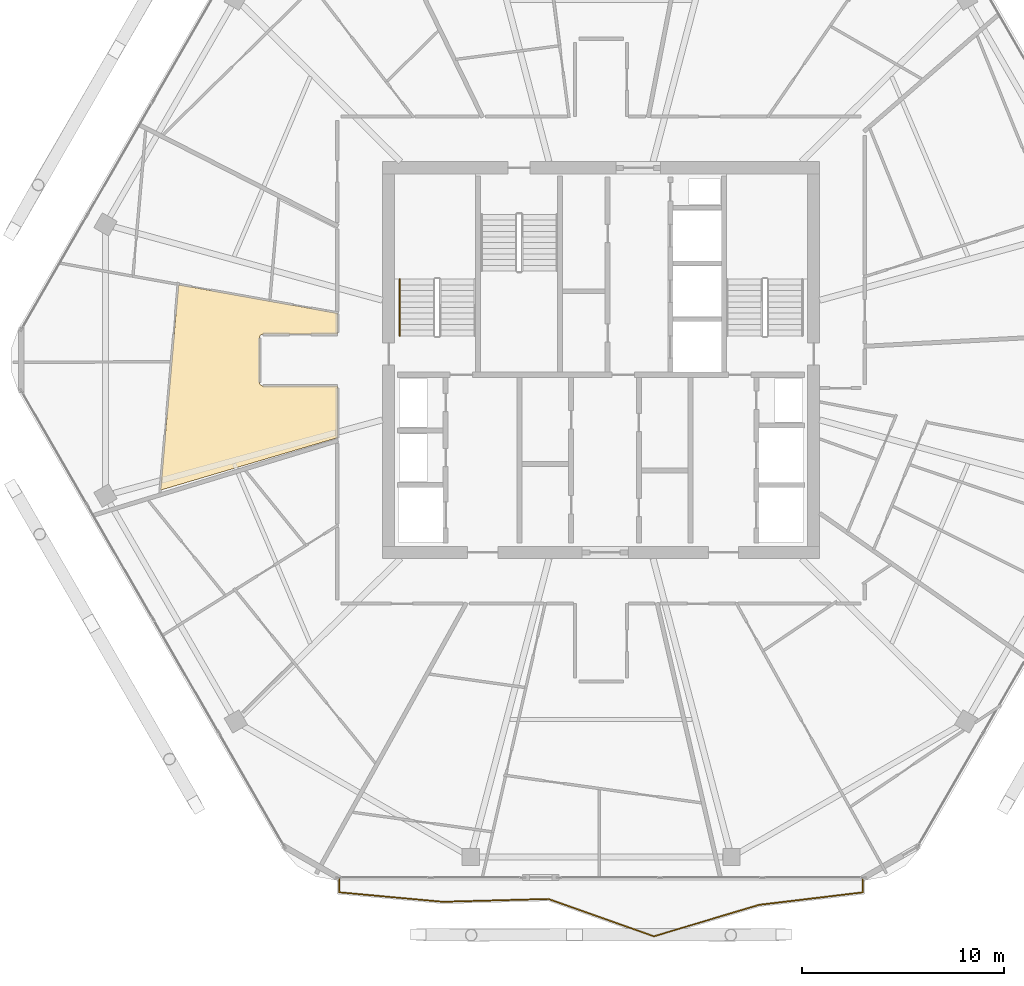
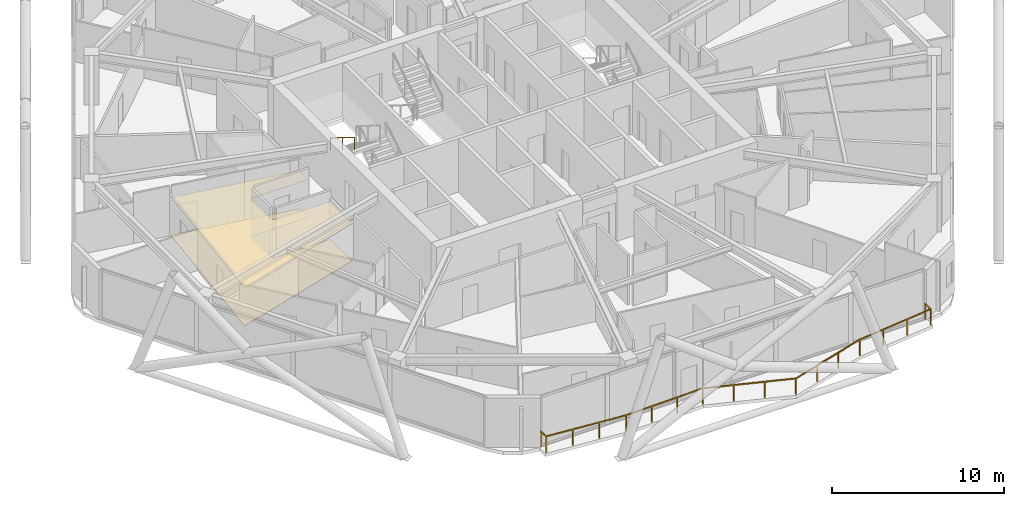
# One storey, part 26 of 27: 2 coverings, 2 railings.
"""IFC4 building model written with IfcOpenShell, lengths in metres."""

from ifc_helpers import new_model, si_unit, direction, frame, origin, origin_2d, place, context, subcontext, project, spatial, polyline, rectangle, outline, extrude, material, layer, layer_set, type_object, element, save


model = new_model("IFC4")

# Units and contexts
model_context = context("Model", 3, precision=1e-05, world=origin(), true_north=direction((0.0, 1.0)))
body_context = subcontext(model_context, "Body", "Model", "MODEL_VIEW")
ifc_project = project(units=[si_unit("LENGTHUNIT", "METRE"), si_unit("AREAUNIT", "SQUARE_METRE"), si_unit("VOLUMEUNIT", "CUBIC_METRE"), si_unit("PLANEANGLEUNIT", "RADIAN"), si_unit("MASSUNIT", "GRAM", prefix="KILO")], contexts=[model_context])

# Site, building, storey
site_placement = place(None, origin())
site = spatial("IfcSite", under=ifc_project, at=site_placement, CompositionType="ELEMENT")
building_placement = place(site_placement, origin())
building = spatial("IfcBuilding", under=site, at=building_placement, Name="Zuhravey Tower", CompositionType="ELEMENT")
storey_placement = place(building_placement, frame((0.0, 0.0, 276.800048828125)))
storey = spatial("IfcBuildingStorey", under=building, at=storey_placement, Name="L70", CompositionType="ELEMENT", Elevation=276.800048828125)

# Coverings
ifc_material_1 = material(Name="Mineral-fibre acoustic ceiling tile")
ifc_layer_1 = layer(ifc_material_1, 0.02490234375)
ifc_layer_set_1 = layer_set([ifc_layer_1], Name="Mineral-fibre acoustic ceiling tile")
covering_type_1 = type_object("IfcCoveringType", Name="Acoustic Suspended Ceiling", PredefinedType="CEILING", material=ifc_layer_set_1)
covering_1_placement = place(storey_placement, frame((0.0, 0.0, 2.68994140625)))
element("IfcCovering", 1, at=covering_1_placement, inside=storey, type_object=covering_type_1, Name="L70 Acoustic Suspended Ceiling CLG1", PredefinedType="CEILING", context=body_context, shape_type="SweptSolid", body=[
    extrude(outline(polyline([(22.969970703125, 34.314697265625), (22.969970703125, 33.280029296875), (19.299072265625, 33.280029296875), (19.263916015625, 33.2763671875), (19.230224609375, 33.265869140625), (19.19921875, 33.2490234375), (19.172119140625, 33.2265625), (19.14990234375, 33.19921875), (19.13330078125, 33.16796875), (19.123291015625, 33.134033203125), (19.1201171875, 33.10009765625), (19.1201171875, 30.89892578125), (19.12744140625, 30.8486328125), (19.1416015625, 30.814208984375), (19.172119140625, 30.7734375), (19.20068359375, 30.749755859375), (19.248779296875, 30.7275390625), (19.300048828125, 30.719970703125), (22.969970703125, 30.719970703125), (22.969970703125, 28.1611328125), (14.237060546875, 25.574462890625), (15.124755859375, 35.720703125), (22.969970703125, 34.314697265625)])), origin(), (0.0, 0.0, 1.0), 0.02490234375),
])
ifc_material_2 = material(Name="Porcelain tile finish")
ifc_layer_2 = layer(ifc_material_2, 0.02001953125)
ifc_layer_set_2 = layer_set([ifc_layer_2], Name="Porcelain tile finish")
covering_type_2 = type_object("IfcCoveringType", Name="Apartment Ondol Porcelain Flooring", PredefinedType="FLOORING", material=ifc_layer_set_2)
covering_2_placement = place(storey_placement, origin())
element("IfcCovering", 2, at=covering_2_placement, inside=storey, type_object=covering_type_2, Name="L70 Principal Room Acoustic Flooring", PredefinedType="FLOORING", context=body_context, shape_type="SweptSolid", body=[
    extrude(outline(polyline([(22.969970703125, 34.314697265625), (22.969970703125, 33.280029296875), (19.299072265625, 33.280029296875), (19.263916015625, 33.2763671875), (19.230224609375, 33.265869140625), (19.19921875, 33.2490234375), (19.172119140625, 33.2265625), (19.14990234375, 33.19921875), (19.13330078125, 33.16796875), (19.123291015625, 33.134033203125), (19.1201171875, 33.10009765625), (19.1201171875, 30.89892578125), (19.12744140625, 30.8486328125), (19.1416015625, 30.814208984375), (19.172119140625, 30.7734375), (19.20068359375, 30.749755859375), (19.248779296875, 30.7275390625), (19.300048828125, 30.719970703125), (22.969970703125, 30.719970703125), (22.969970703125, 28.1611328125), (14.237060546875, 25.574462890625), (15.124755859375, 35.720703125), (22.969970703125, 34.314697265625)])), origin(), (0.0, 0.0, 1.0), 0.02001953125),
])

# Railings
ifc_material_3 = material(Name="Stainless steel 316 and laminated glass", Category="steel")
railing_type_1 = type_object("IfcRailingType", Name="Balcony & Terrace Guardrail 1150", PredefinedType="BALUSTRADE", material=ifc_material_3)
railing_1_placement = place(storey_placement, frame((48.941650390625, 6.351318359375, 0.0)))
element("IfcRailing", 3, at=railing_1_placement, inside=storey, type_object=railing_type_1, Name="L70 Face 5 Wave Balcony Guardrail GR1", PredefinedType="BALUSTRADE", context=body_context, shape_type="SweptSolid", body=[
    extrude(rectangle(XDim=0.048095703125, YDim=0.048095703125, at=origin_2d()), frame((0.0, -0.001953125, 1.1259765625), z_axis=(0.0, -1.0, 0.0), x_axis=(1.0, 0.0, 0.0)), (0.0, 0.0, 1.0), 0.647216796875),
    extrude(rectangle(XDim=0.048095703125, YDim=0.048095703125, at=origin_2d()), frame((-0.001953125, -0.6513671875, 1.1259765625), z_axis=(-0.992871478908, -0.119189875284, 0.0), x_axis=(0.119189875284, -0.992871478908, 0.0)), (0.0, 0.0, 1.0), 5.170166015625),
    extrude(rectangle(XDim=0.048095703125, YDim=0.048095703125, at=origin_2d()), frame((-5.13916015625, -1.268310546875, 1.1259765625), z_axis=(-0.957936519029, -0.286980183132, 0.0), x_axis=(0.286980183132, -0.957936519029, 0.0)), (0.0, 0.0, 1.0), 5.417724609375),
    extrude(rectangle(XDim=0.048095703125, YDim=0.048095703125, at=origin_2d()), frame((-10.332763671875, -2.822998046875, 1.1259765625), z_axis=(-0.942474043573, 0.33427934006, 0.0), x_axis=(-0.33427934006, -0.942474043573, 0.0)), (0.0, 0.0, 1.0), 5.5166015625),
    extrude(rectangle(XDim=0.048095703125, YDim=0.048095703125, at=origin_2d()), frame((-15.535888671875, -0.978271484375, 1.1259765625), z_axis=(-0.999647364659, -0.026554591526, 0.0), x_axis=(0.026554591526, -0.999647364659, 0.0)), (0.0, 0.0, 1.0), 5.227294921875),
    extrude(rectangle(XDim=0.048095703125, YDim=0.048095703125, at=origin_2d()), frame((-20.765380859375, -1.116943359375, 1.1259765625), z_axis=(-0.995839316958, 0.091126586679, 0.0), x_axis=(-0.091126586679, -0.995839316958, 0.0)), (0.0, 0.0, 1.0), 5.13720703125),
    extrude(rectangle(XDim=0.048095703125, YDim=0.048095703125, at=origin_2d()), frame((-25.88330078125, -0.646728515625, 1.1259765625), z_axis=(0.0, 1.0, 0.0), x_axis=(-1.0, 0.0, 0.0)), (0.0, 0.0, 1.0), 0.644775390625),
    extrude(rectangle(XDim=0.0419921875, YDim=0.0419921875, at=origin_2d()), origin(), (0.0, 0.0, 1.0), 1.099853515625),
    extrude(rectangle(XDim=0.0419921875, YDim=0.0419921875, at=origin_2d()), frame((0.0, -0.651123046875, 0.0)), (0.0, 0.0, 1.0), 1.099853515625),
    extrude(rectangle(XDim=0.0419921875, YDim=0.0419921875, at=origin_2d()), frame((-1.71240234375, -0.856689453125, 0.0)), (0.0, 0.0, 1.0), 1.099853515625),
    extrude(rectangle(XDim=0.0419921875, YDim=0.0419921875, at=origin_2d()), frame((-3.4248046875, -1.062255859375, 0.0)), (0.0, 0.0, 1.0), 1.099853515625),
    extrude(rectangle(XDim=0.0419921875, YDim=0.0419921875, at=origin_2d()), frame((-5.13720703125, -1.267822265625, 0.0)), (0.0, 0.0, 1.0), 1.099853515625),
    extrude(rectangle(XDim=0.0419921875, YDim=0.0419921875, at=origin_2d()), frame((-6.868408203125, -1.786376953125, 0.0)), (0.0, 0.0, 1.0), 1.099853515625),
    extrude(rectangle(XDim=0.0419921875, YDim=0.0419921875, at=origin_2d()), frame((-8.599609375, -2.30517578125, 0.0)), (0.0, 0.0, 1.0), 1.099853515625),
    extrude(rectangle(XDim=0.0419921875, YDim=0.0419921875, at=origin_2d()), frame((-10.330810546875, -2.82373046875, 0.0)), (0.0, 0.0, 1.0), 1.099853515625),
    extrude(rectangle(XDim=0.0419921875, YDim=0.0419921875, at=origin_2d()), frame((-12.065185546875, -2.20849609375, 0.0)), (0.0, 0.0, 1.0), 1.099853515625),
    extrude(rectangle(XDim=0.0419921875, YDim=0.0419921875, at=origin_2d()), frame((-13.799560546875, -1.593505859375, 0.0)), (0.0, 0.0, 1.0), 1.099853515625),
    extrude(rectangle(XDim=0.0419921875, YDim=0.0419921875, at=origin_2d()), frame((-15.533935546875, -0.978271484375, 0.0)), (0.0, 0.0, 1.0), 1.099853515625),
    extrude(rectangle(XDim=0.0419921875, YDim=0.0419921875, at=origin_2d()), frame((-17.277099609375, -1.024658203125, 0.0)), (0.0, 0.0, 1.0), 1.099853515625),
    extrude(rectangle(XDim=0.0419921875, YDim=0.0419921875, at=origin_2d()), frame((-19.020263671875, -1.07080078125, 0.0)), (0.0, 0.0, 1.0), 1.099853515625),
    extrude(rectangle(XDim=0.0419921875, YDim=0.0419921875, at=origin_2d()), frame((-20.763427734375, -1.1171875, 0.0)), (0.0, 0.0, 1.0), 1.099853515625),
    extrude(rectangle(XDim=0.0419921875, YDim=0.0419921875, at=origin_2d()), frame((-22.469970703125, -0.9609375, 0.0)), (0.0, 0.0, 1.0), 1.099853515625),
    extrude(rectangle(XDim=0.0419921875, YDim=0.0419921875, at=origin_2d()), frame((-24.1767578125, -0.804931640625, 0.0)), (0.0, 0.0, 1.0), 1.099853515625),
    extrude(rectangle(XDim=0.0419921875, YDim=0.0419921875, at=origin_2d()), frame((-25.88330078125, -0.648681640625, 0.0)), (0.0, 0.0, 1.0), 1.099853515625),
    extrude(rectangle(XDim=0.0419921875, YDim=0.0419921875, at=origin_2d()), frame((-25.88330078125, 0.0, 0.0)), (0.0, 0.0, 1.0), 1.099853515625),
])
ifc_material_4 = material(Name="Brushed stainless steel", Category="steel")
railing_type_2 = type_object("IfcRailingType", Name="Stair Wall Handrail 900", PredefinedType="HANDRAIL", material=ifc_material_4)
railing_2_placement = place(storey_placement, frame((26.050048828125, 36.0, 2.07275390625)))
element("IfcRailing", 4, at=railing_2_placement, inside=storey, type_object=railing_type_2, Name="L70 ST1 stair handrail 2", PredefinedType="HANDRAIL", context=body_context, shape_type="SweptSolid", body=[
    extrude(rectangle(XDim=0.048095703125, YDim=0.048095703125, at=origin_2d()), frame((0.0, -0.001708984375, 0.876953125), z_axis=(0.0, -0.851089632645, 0.525020415988), x_axis=(1.0, 0.0, 0.0)), (0.0, 0.0, 1.0), 3.285888671875),
    extrude(rectangle(XDim=0.0419921875, YDim=0.0419921875, at=origin_2d()), origin(), (0.0, 0.0, 1.0), 0.849853515625),
    extrude(rectangle(XDim=0.0419921875, YDim=0.0419921875, at=origin_2d()), frame((0.0, -1.39990234375, 0.86376953125)), (0.0, 0.0, 1.0), 0.849853515625),
    extrude(rectangle(XDim=0.0419921875, YDim=0.0419921875, at=origin_2d()), frame((0.0, -2.800048828125, 1.727294921875)), (0.0, 0.0, 1.0), 0.849853515625),
])

save(model, "model.ifc")
